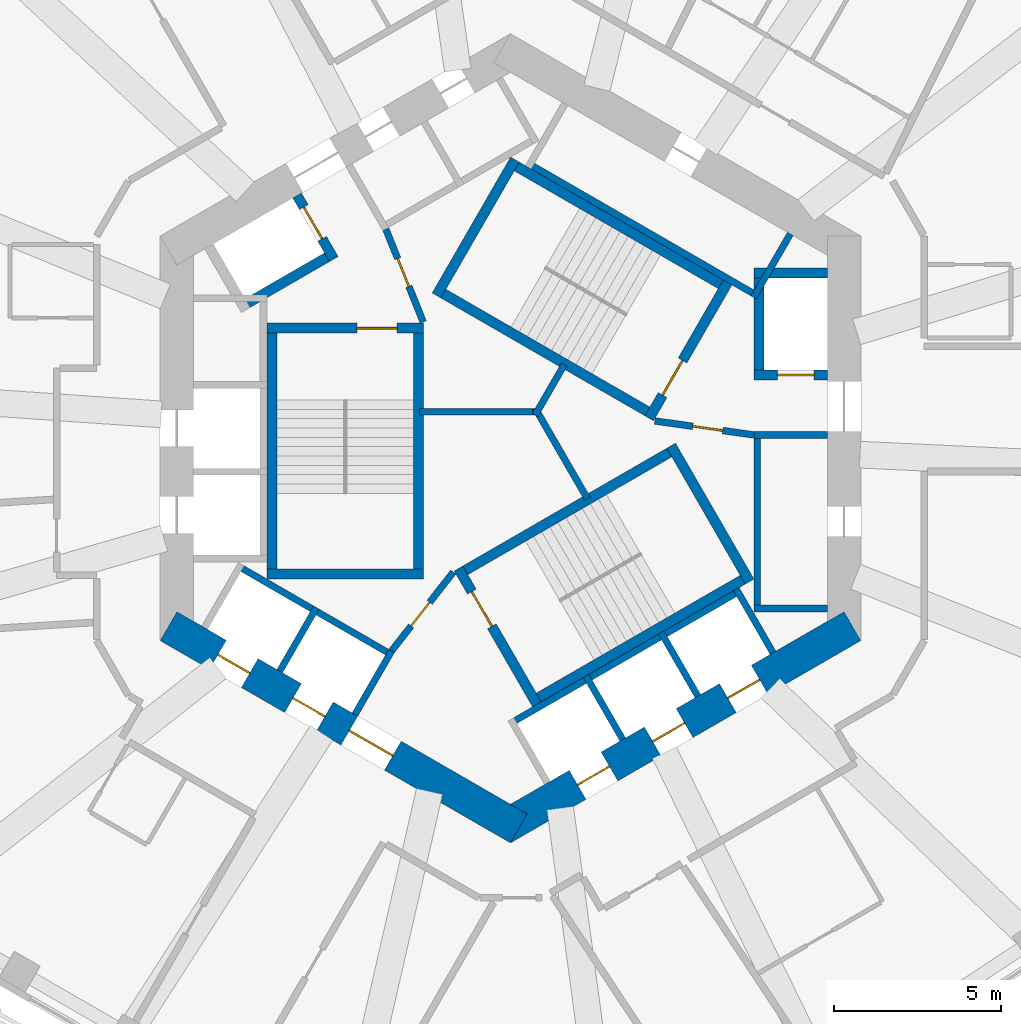
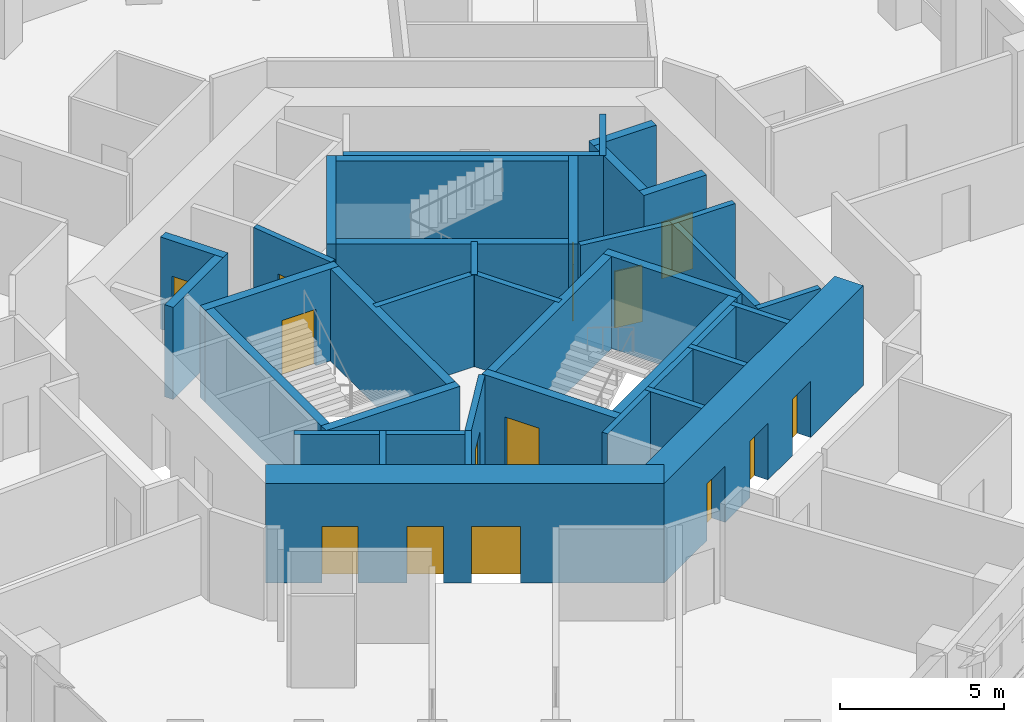
# One storey, part 5 of 11: 37 walls, 14 doors, 14 openings.
"""IFC4 building model written with IfcOpenShell, lengths in metres."""

from ifc_helpers import new_model, si_unit, direction, frame, frame_2d, origin, place, context, subcontext, project, spatial, rectangle, extrude, material, layer, layer_set, type_object, element, fill, save


model = new_model("IFC4")

# Units and contexts
model_context = context("Model", 3, precision=1e-05, world=origin(), true_north=direction((0.0, 1.0)))
body_context = subcontext(model_context, "Body", "Model", "MODEL_VIEW")
ifc_project = project(units=[si_unit("LENGTHUNIT", "METRE"), si_unit("AREAUNIT", "SQUARE_METRE"), si_unit("VOLUMEUNIT", "CUBIC_METRE"), si_unit("PLANEANGLEUNIT", "RADIAN"), si_unit("MASSUNIT", "GRAM", prefix="KILO")], contexts=[model_context])

# Site, building, storey
site_placement = place(None, origin())
site = spatial("IfcSite", under=ifc_project, at=site_placement, CompositionType="ELEMENT")
building_placement = place(site_placement, origin())
building = spatial("IfcBuilding", under=site, at=building_placement, Name="Vanh Sen Convention Tower", CompositionType="ELEMENT")
storey_placement = place(building_placement, frame((0.0, 0.0, 187.300048828125)))
storey = spatial("IfcBuildingStorey", under=building, at=storey_placement, Name="L46", CompositionType="ELEMENT", Elevation=187.300048828125)

# Wall, openings, doors
ifc_material_1 = material(Name="Concrete C80/95", Category="concrete")
ifc_layer_1 = layer(ifc_material_1, 1.0)
ifc_layer_set_1 = layer_set([ifc_layer_1], Name="Concrete C80/95")
wall_type_1 = type_object("IfcWallType", Name="Core outer wall 1000 C80/95", PredefinedType="SHEAR", material=ifc_layer_set_1)
wall_1_placement = place(storey_placement, frame((-10.25, -5.629150390625, 0.0), z_axis=(0.0, 0.0, 1.0), x_axis=(0.866022616891, -0.50000482701, 0.0)))
wall_1 = element("IfcWall", 1, at=wall_1_placement, inside=storey, type_object=wall_type_1, Name="Core wall face SW L46", PredefinedType="SHEAR", context=body_context, shape_type="SweptSolid", body=[
    extrude(rectangle(XDim=12.12451171875, YDim=1.0, at=frame_2d((6.062255859375, 0.0))), origin(), (0.0, 0.0, 1.0), 3.699951171875),
])
opening_1_placement = place(wall_1_placement, frame((6.26220703125, 0.0, 0.0)))
opening_1 = element("IfcOpeningElement", 2, at=opening_1_placement, cuts=wall_1, Name="Opening D44003", PredefinedType="OPENING", context=body_context, shape_type="SweptSolid", body=[
    extrude(rectangle(XDim=1.5, YDim=2.10009765625, at=frame_2d((0.75, 1.050048828125))), frame((0.0, 0.510009765625, 0.0), z_axis=(0.0, -1.0, 0.0), x_axis=(1.0, 0.0, 0.0)), (0.0, 0.0, 1.0), 1.02001953125),
])
opening_2_placement = place(wall_1_placement, frame((1.712158203125, 0.0, 0.0)))
opening_2 = element("IfcOpeningElement", 3, at=opening_2_placement, cuts=wall_1, Name="Opening LD-HR3", PredefinedType="OPENING", context=body_context, shape_type="SweptSolid", body=[
    extrude(rectangle(XDim=1.10009765625, YDim=2.10009765625, at=frame_2d((0.550048828125, 1.050048828125))), frame((0.0, 0.510009765625, 0.0), z_axis=(0.0, -1.0, 0.0), x_axis=(1.0, 0.0, 0.0)), (0.0, 0.0, 1.0), 1.02001953125),
])
opening_3_placement = place(wall_1_placement, frame((4.312255859375, 0.0, 0.0)))
opening_3 = element("IfcOpeningElement", 4, at=opening_3_placement, cuts=wall_1, Name="Opening LD-HR4", PredefinedType="OPENING", context=body_context, shape_type="SweptSolid", body=[
    extrude(rectangle(XDim=1.10009765625, YDim=2.10009765625, at=frame_2d((0.550048828125, 1.050048828125))), frame((0.0, 0.510009765625, 0.0), z_axis=(0.0, -1.0, 0.0), x_axis=(1.0, 0.0, 0.0)), (0.0, 0.0, 1.0), 1.02001953125),
])
ifc_material_2 = material(Name="Stainless steel", Category="steel")
door_type_1 = type_object("IfcDoorType", Name="Lift landing door 1100", OperationType="DOUBLE_DOOR_SLIDING", PredefinedType="DOOR", material=ifc_material_2)
door_1_placement = place(opening_2_placement, origin())
door_1 = element("IfcDoor", 5, at=door_1_placement, inside=storey, type_object=door_type_1, Name="Lift HR3 landing door LD-HR3", OperationType="DOUBLE_DOOR_SLIDING", OverallHeight=2.10009765625, OverallWidth=1.10009765625, PredefinedType="DOOR", context=body_context, shape_type="SweptSolid", body=[
    extrude(rectangle(XDim=1.10009765625, YDim=2.10009765625, at=frame_2d((0.550048828125, 1.050048828125))), frame((0.0, 0.02490234375, 0.0), z_axis=(0.0, -1.0, 0.0), x_axis=(1.0, 0.0, 0.0)), (0.0, 0.0, 1.0), 0.050048828125),
])
fill(opening_2, door_1)
door_2_placement = place(opening_3_placement, origin())
door_2 = element("IfcDoor", 6, at=door_2_placement, inside=storey, type_object=door_type_1, Name="Lift HR4 landing door LD-HR4", OperationType="DOUBLE_DOOR_SLIDING", OverallHeight=2.10009765625, OverallWidth=1.10009765625, PredefinedType="DOOR", context=body_context, shape_type="SweptSolid", body=[
    extrude(rectangle(XDim=1.10009765625, YDim=2.10009765625, at=frame_2d((0.550048828125, 1.050048828125))), frame((0.0, 0.02490234375, 0.0), z_axis=(0.0, -1.0, 0.0), x_axis=(1.0, 0.0, 0.0)), (0.0, 0.0, 1.0), 0.050048828125),
])
fill(opening_3, door_2)
ifc_material_3 = material(Name="Steel S355", Category="steel")
door_type_2 = type_object("IfcDoorType", Name="Stair lobby door 1500", OperationType="DOUBLE_DOOR_SINGLE_SWING", PredefinedType="DOOR", material=ifc_material_3)
door_3_placement = place(opening_1_placement, origin())
door_3 = element("IfcDoor", 7, at=door_3_placement, inside=storey, type_object=door_type_2, Name="Stair lobby door D44003", OperationType="DOUBLE_DOOR_SINGLE_SWING", OverallHeight=2.10009765625, OverallWidth=1.5, PredefinedType="DOOR", context=body_context, shape_type="SweptSolid", body=[
    extrude(rectangle(XDim=1.5, YDim=2.10009765625, at=frame_2d((0.75, 1.050048828125))), frame((0.0, 0.02490234375, 0.0), z_axis=(0.0, -1.0, 0.0), x_axis=(1.0, 0.0, 0.0)), (0.0, 0.0, 1.0), 0.050048828125),
])
fill(opening_1, door_3)

wall_2_placement = place(storey_placement, frame((-0.25, -11.69140625, 0.0), z_axis=(0.0, 0.0, 1.0), x_axis=(0.866022616891, 0.50000482701, 0.0)))
wall_2 = element("IfcWall", 8, at=wall_2_placement, inside=storey, type_object=wall_type_1, Name="Core wall face SE L46", PredefinedType="SHEAR", context=body_context, shape_type="SweptSolid", body=[
    extrude(rectangle(XDim=12.12451171875, YDim=1.0, at=frame_2d((6.062255859375, 0.0))), origin(), (0.0, 0.0, 1.0), 3.699951171875),
])
opening_4_placement = place(wall_2_placement, frame((2.6123046875, 0.0, 0.0)))
opening_4 = element("IfcOpeningElement", 9, at=opening_4_placement, cuts=wall_2, Name="Opening LD-HR5", PredefinedType="OPENING", context=body_context, shape_type="SweptSolid", body=[
    extrude(rectangle(XDim=1.10009765625, YDim=2.10009765625, at=frame_2d((0.550048828125, 1.050048828125))), frame((0.0, 0.510009765625, 0.0), z_axis=(0.0, -1.0, 0.0), x_axis=(1.0, 0.0, 0.0)), (0.0, 0.0, 1.0), 1.02001953125),
])
opening_5_placement = place(wall_2_placement, frame((5.212158203125, 0.0, 0.0)))
opening_5 = element("IfcOpeningElement", 10, at=opening_5_placement, cuts=wall_2, Name="Opening LD-HR6", PredefinedType="OPENING", context=body_context, shape_type="SweptSolid", body=[
    extrude(rectangle(XDim=1.10009765625, YDim=2.10009765625, at=frame_2d((0.550048828125, 1.050048828125))), frame((0.0, 0.510009765625, 0.0), z_axis=(0.0, -1.0, 0.0), x_axis=(1.0, 0.0, 0.0)), (0.0, 0.0, 1.0), 1.02001953125),
])
opening_6_placement = place(wall_2_placement, frame((7.812255859375, 0.0, 0.0)))
opening_6 = element("IfcOpeningElement", 11, at=opening_6_placement, cuts=wall_2, Name="Opening LD-SV1", PredefinedType="OPENING", context=body_context, shape_type="SweptSolid", body=[
    extrude(rectangle(XDim=1.10009765625, YDim=2.10009765625, at=frame_2d((0.550048828125, 1.050048828125))), frame((0.0, 0.510009765625, 0.0), z_axis=(0.0, -1.0, 0.0), x_axis=(1.0, 0.0, 0.0)), (0.0, 0.0, 1.0), 1.02001953125),
])
door_4_placement = place(opening_4_placement, origin())
door_4 = element("IfcDoor", 12, at=door_4_placement, inside=storey, type_object=door_type_1, Name="Lift HR5 landing door LD-HR5", OperationType="DOUBLE_DOOR_SLIDING", OverallHeight=2.10009765625, OverallWidth=1.10009765625, PredefinedType="DOOR", context=body_context, shape_type="SweptSolid", body=[
    extrude(rectangle(XDim=1.10009765625, YDim=2.10009765625, at=frame_2d((0.550048828125, 1.050048828125))), frame((0.0, 0.02490234375, 0.0), z_axis=(0.0, -1.0, 0.0), x_axis=(1.0, 0.0, 0.0)), (0.0, 0.0, 1.0), 0.050048828125),
])
fill(opening_4, door_4)
door_5_placement = place(opening_5_placement, origin())
door_5 = element("IfcDoor", 13, at=door_5_placement, inside=storey, type_object=door_type_1, Name="Lift HR6 landing door LD-HR6", OperationType="DOUBLE_DOOR_SLIDING", OverallHeight=2.10009765625, OverallWidth=1.10009765625, PredefinedType="DOOR", context=body_context, shape_type="SweptSolid", body=[
    extrude(rectangle(XDim=1.10009765625, YDim=2.10009765625, at=frame_2d((0.550048828125, 1.050048828125))), frame((0.0, 0.02490234375, 0.0), z_axis=(0.0, -1.0, 0.0), x_axis=(1.0, 0.0, 0.0)), (0.0, 0.0, 1.0), 0.050048828125),
])
fill(opening_5, door_5)
door_6_placement = place(opening_6_placement, origin())
door_6 = element("IfcDoor", 14, at=door_6_placement, inside=storey, type_object=door_type_1, Name="Lift SV1 landing door LD-SV1", OperationType="DOUBLE_DOOR_SLIDING", OverallHeight=2.10009765625, OverallWidth=1.10009765625, PredefinedType="DOOR", context=body_context, shape_type="SweptSolid", body=[
    extrude(rectangle(XDim=1.10009765625, YDim=2.10009765625, at=frame_2d((0.550048828125, 1.050048828125))), frame((0.0, 0.02490234375, 0.0), z_axis=(0.0, -1.0, 0.0), x_axis=(1.0, 0.0, 0.0)), (0.0, 0.0, 1.0), 0.050048828125),
])
fill(opening_6, door_6)

# Walls
ifc_material_4 = material(Name="Masonry blockwork", Category="masonry")
ifc_layer_2 = layer(ifc_material_4, 0.199951171875)
ifc_layer_set_2 = layer_set([ifc_layer_2], Name="Masonry blockwork")
wall_type_2 = type_object("IfcWallType", Name="Core partition 200", PredefinedType="PARTITIONING", material=ifc_layer_set_2)
wall_3_placement = place(storey_placement, frame((0.919921875, 0.800048828125, 0.0), z_axis=(0.0, 0.0, 1.0), x_axis=(-1.0, 0.0, 0.0)))
element("IfcWall", 15, at=wall_3_placement, inside=storey, type_object=wall_type_2, Name="Core partition L46", PredefinedType="PARTITIONING", context=body_context, shape_type="SweptSolid", body=[
    extrude(rectangle(XDim=3.639892578125, YDim=0.199951171875, at=frame_2d((1.81982421875, 0.0))), origin(), (0.0, 0.0, 1.0), 3.419921875),
])
wall_4_placement = place(storey_placement, frame((0.739990234375, 0.696044921875, 0.0), z_axis=(0.0, 0.0, 1.0), x_axis=(0.499956301907, 0.86605063142, 0.0)))
element("IfcWall", 16, at=wall_4_placement, inside=storey, type_object=wall_type_2, Name="Core partition L46", PredefinedType="PARTITIONING", context=body_context, shape_type="SweptSolid", body=[
    extrude(rectangle(XDim=1.747314453125, YDim=0.199951171875, at=frame_2d((0.87353515625, 0.0))), origin(), (0.0, 0.0, 1.0), 3.419921875),
])
wall_5_placement = place(storey_placement, frame((0.739990234375, 0.90380859375, 0.0), z_axis=(0.0, 0.0, 1.0), x_axis=(0.500028278809, -0.866009076391, 0.0)))
element("IfcWall", 17, at=wall_5_placement, inside=storey, type_object=wall_type_2, Name="Core partition L46", PredefinedType="PARTITIONING", context=body_context, shape_type="SweptSolid", body=[
    extrude(rectangle(XDim=3.132568359375, YDim=0.199951171875, at=frame_2d((1.56640625, 0.0))), origin(), (0.0, 0.0, 1.0), 3.419921875),
])

# Wall, opening, door
ifc_material_5 = material(Name="Concrete C60/75", Category="concrete")
ifc_layer_3 = layer(ifc_material_5, 0.300048828125)
ifc_layer_set_3 = layer_set([ifc_layer_3], Name="Concrete C60/75")
wall_type_3 = type_object("IfcWallType", Name="Fire-fighting lift shaft wall 300", PredefinedType="SHEAR", material=ifc_layer_set_3)
wall_6_placement = place(storey_placement, frame((7.300048828125, 1.89990234375, 0.0), z_axis=(0.0, 0.0, 1.0), x_axis=(1.0, 0.0, 0.0)))
wall_6 = element("IfcWall", 18, at=wall_6_placement, inside=storey, type_object=wall_type_3, Name="Fire-fighting lift shaft wall L46", PredefinedType="SHEAR", context=body_context, shape_type="SweptSolid", body=[
    extrude(rectangle(XDim=2.199951171875, YDim=0.300048828125, at=frame_2d((1.10009765625, 0.0))), origin(), (0.0, 0.0, 1.0), 3.419921875),
])
opening_7_placement = place(wall_6_placement, frame((0.699951171875, 0.0, 0.0)))
opening_7 = element("IfcOpeningElement", 19, at=opening_7_placement, cuts=wall_6, Name="Opening LD-FF1", PredefinedType="OPENING", context=body_context, shape_type="SweptSolid", body=[
    extrude(rectangle(XDim=1.10009765625, YDim=2.10009765625, at=frame_2d((0.550048828125, 1.050048828125))), frame((0.0, 0.159912109375, 0.0), z_axis=(0.0, -1.0, 0.0), x_axis=(1.0, 0.0, 0.0)), (0.0, 0.0, 1.0), 0.320068359375),
])
door_type_3 = type_object("IfcDoorType", Name="Fire-fighting lift landing door 1100", OperationType="DOUBLE_DOOR_SLIDING", PredefinedType="DOOR", material=ifc_material_2)
door_7_placement = place(opening_7_placement, origin())
door_7 = element("IfcDoor", 20, at=door_7_placement, inside=storey, type_object=door_type_3, Name="Lift FF1 landing door LD-FF1", OperationType="DOUBLE_DOOR_SLIDING", OverallHeight=2.10009765625, OverallWidth=1.10009765625, PredefinedType="DOOR", context=body_context, shape_type="SweptSolid", body=[
    extrude(rectangle(XDim=1.10009765625, YDim=2.10009765625, at=frame_2d((0.550048828125, 1.050048828125))), frame((0.0, 0.02490234375, 0.0), z_axis=(0.0, -1.0, 0.0), x_axis=(1.0, 0.0, 0.0)), (0.0, 0.0, 1.0), 0.050048828125),
])
fill(opening_7, door_7)

# Walls
wall_7_placement = place(storey_placement, frame((7.449951171875, 1.75, 0.0), z_axis=(0.0, 0.0, 1.0), x_axis=(0.0, 1.0, 0.0)))
element("IfcWall", 21, at=wall_7_placement, inside=storey, type_object=wall_type_3, Name="Fire-fighting lift shaft wall L46", PredefinedType="SHEAR", context=body_context, shape_type="SweptSolid", body=[
    extrude(rectangle(XDim=3.35009765625, YDim=0.300048828125, at=frame_2d((1.675048828125, 0.0))), origin(), (0.0, 0.0, 1.0), 3.419921875),
])
wall_8_placement = place(storey_placement, frame((7.300048828125, 4.949951171875, 0.0), z_axis=(0.0, 0.0, 1.0), x_axis=(1.0, 0.0, 0.0)))
element("IfcWall", 22, at=wall_8_placement, inside=storey, type_object=wall_type_3, Name="Fire-fighting lift shaft wall L46", PredefinedType="SHEAR", context=body_context, shape_type="SweptSolid", body=[
    extrude(rectangle(XDim=2.199951171875, YDim=0.300048828125, at=frame_2d((1.10009765625, 0.0))), origin(), (0.0, 0.0, 1.0), 3.419921875),
])

# Wall, opening, door
wall_9_placement = place(storey_placement, frame((-5.29541015625, 5.3720703125, 0.0), z_axis=(0.0, 0.0, 1.0), x_axis=(-0.500077893725, 0.86598042715, 0.0)))
wall_9 = element("IfcWall", 23, at=wall_9_placement, inside=storey, type_object=wall_type_3, Name="Fire-fighting lift shaft wall L46", PredefinedType="SHEAR", context=body_context, shape_type="SweptSolid", body=[
    extrude(rectangle(XDim=2.199951171875, YDim=0.300048828125, at=frame_2d((1.10009765625, 0.0))), origin(), (0.0, 0.0, 1.0), 3.419921875),
])
opening_8_placement = place(wall_9_placement, frame((0.699951171875, 0.0, 0.0)))
opening_8 = element("IfcOpeningElement", 24, at=opening_8_placement, cuts=wall_9, Name="Opening LD-FF2", PredefinedType="OPENING", context=body_context, shape_type="SweptSolid", body=[
    extrude(rectangle(XDim=1.10009765625, YDim=2.10009765625, at=frame_2d((0.550048828125, 1.050048828125))), frame((0.0, 0.159912109375, 0.0), z_axis=(0.0, -1.0, 0.0), x_axis=(1.0, 0.0, 0.0)), (0.0, 0.0, 1.0), 0.320068359375),
])
door_8_placement = place(opening_8_placement, origin())
door_8 = element("IfcDoor", 25, at=door_8_placement, inside=storey, type_object=door_type_3, Name="Lift FF2 landing door LD-FF2", OperationType="DOUBLE_DOOR_SLIDING", OverallHeight=2.10009765625, OverallWidth=1.10009765625, PredefinedType="DOOR", context=body_context, shape_type="SweptSolid", body=[
    extrude(rectangle(XDim=1.10009765625, YDim=2.10009765625, at=frame_2d((0.550048828125, 1.050048828125))), frame((0.0, 0.02490234375, 0.0), z_axis=(0.0, -1.0, 0.0), x_axis=(1.0, 0.0, 0.0)), (0.0, 0.0, 1.0), 0.050048828125),
])
fill(opening_8, door_8)

# Walls
wall_10_placement = place(storey_placement, frame((-5.240478515625, 5.576904296875, 0.0), z_axis=(0.0, 0.0, 1.0), x_axis=(-0.866014461049, -0.500018952895, 0.0)))
element("IfcWall", 26, at=wall_10_placement, inside=storey, type_object=wall_type_3, Name="Fire-fighting lift shaft wall L46", PredefinedType="SHEAR", context=body_context, shape_type="SweptSolid", body=[
    extrude(rectangle(XDim=3.349853515625, YDim=0.300048828125, at=frame_2d((1.6748046875, 0.0))), origin(), (0.0, 0.0, 1.0), 3.419921875),
])
ifc_material_6 = material(Name="Concrete C40/50", Category="concrete")
ifc_layer_4 = layer(ifc_material_6, 0.199951171875)
ifc_layer_set_4 = layer_set([ifc_layer_4], Name="Concrete C40/50")
wall_type_4 = type_object("IfcWallType", Name="Lift shaft wall 200", PredefinedType="PARTITIONING", material=ifc_layer_set_4)
wall_11_placement = place(storey_placement, frame((7.39990234375, -5.199951171875, 0.0), z_axis=(0.0, 0.0, 1.0), x_axis=(0.0, 1.0, 0.0)))
element("IfcWall", 27, at=wall_11_placement, inside=storey, type_object=wall_type_4, Name="Lift shaft wall L46", PredefinedType="PARTITIONING", context=body_context, shape_type="SweptSolid", body=[
    extrude(rectangle(XDim=5.39990234375, YDim=0.199951171875, at=frame_2d((2.699951171875, 0.0))), origin(), (0.0, 0.0, 1.0), 3.419921875),
])
for number, where, z_axis, x_axis, name in (
    (28, (7.300048828125, -5.10009765625, 0.0), (0.0, 0.0, 1.0), (1.0, 0.0, 0.0), "Lift shaft wall L46"),
    (29, (7.300048828125, 0.10009765625, 0.0), (0.0, 0.0, 1.0), (1.0, 0.0, 0.0), "Lift shaft wall L46"),
):
    element("IfcWall", number, at=place(storey_placement, frame(where, z_axis=z_axis, x_axis=x_axis)), inside=storey, type_object=wall_type_4, Name=name, PredefinedType="PARTITIONING", context=body_context, shape_type="SweptSolid", body=[
        extrude(rectangle(XDim=2.199951171875, YDim=0.199951171875, at=frame_2d((1.10009765625, 0.0))), origin(), (0.0, 0.0, 1.0), 3.419921875),
    ])
wall_12_placement = place(storey_placement, frame((7.423828125, 4.258544921875, 0.0), z_axis=(0.0, 0.0, 1.0), x_axis=(-0.866026010844, 0.49999894854, 0.0)))
element("IfcWall", 30, at=wall_12_placement, inside=storey, type_object=wall_type_4, Name="Lift shaft wall L46", PredefinedType="PARTITIONING", context=body_context, shape_type="SweptSolid", body=[
    extrude(rectangle(XDim=8.0, YDim=0.199951171875, at=frame_2d((4.0, 0.0))), origin(), (0.0, 0.0, 1.0), 3.419921875),
])
wall_13_placement = place(storey_placement, frame((7.287353515625, 4.221923828125, 0.0), z_axis=(0.0, 0.0, 1.0), x_axis=(0.499946605688, 0.86605622881, 0.0)))
element("IfcWall", 31, at=wall_13_placement, inside=storey, type_object=wall_type_4, Name="Lift shaft wall L46", PredefinedType="PARTITIONING", context=body_context, shape_type="SweptSolid", body=[
    extrude(rectangle(XDim=2.199951171875, YDim=0.199951171875, at=frame_2d((1.10009765625, 0.0))), origin(), (0.0, 0.0, 1.0), 3.419921875),
])
wall_14_placement = place(storey_placement, frame((-8.203369140625, -3.80859375, 0.0), z_axis=(0.0, 0.0, 1.0), x_axis=(0.866028230842, -0.499995103361, 0.0)))
element("IfcWall", 32, at=wall_14_placement, inside=storey, type_object=wall_type_4, Name="Lift shaft wall L46", PredefinedType="PARTITIONING", context=body_context, shape_type="SweptSolid", body=[
    extrude(rectangle(XDim=5.39990234375, YDim=0.199951171875, at=frame_2d((2.699951171875, 0.0))), origin(), (0.0, 0.0, 1.0), 3.419921875),
])
wall_15_placement = place(storey_placement, frame((-5.815185546875, -5.072021484375, 0.0), z_axis=(0.0, 0.0, 1.0), x_axis=(-0.499946605688, -0.86605622881, 0.0)))
element("IfcWall", 33, at=wall_15_placement, inside=storey, type_object=wall_type_4, Name="Lift shaft wall L46", PredefinedType="PARTITIONING", context=body_context, shape_type="SweptSolid", body=[
    extrude(rectangle(XDim=2.199951171875, YDim=0.199951171875, at=frame_2d((1.10009765625, 0.0))), origin(), (0.0, 0.0, 1.0), 3.419921875),
])
wall_16_placement = place(storey_placement, frame((-3.5634765625, -6.3720703125, 0.0), z_axis=(0.0, 0.0, 1.0), x_axis=(-0.499994660107, -0.866028486751, 0.0)))
element("IfcWall", 34, at=wall_16_placement, inside=storey, type_object=wall_type_4, Name="Lift shaft wall L46", PredefinedType="PARTITIONING", context=body_context, shape_type="SweptSolid", body=[
    extrude(rectangle(XDim=2.19970703125, YDim=0.199951171875, at=frame_2d((1.099853515625, 0.0))), origin(), (0.0, 0.0, 1.0), 3.419921875),
])
wall_17_placement = place(storey_placement, frame((-0.02392578125, -8.55859375, 0.0), z_axis=(0.0, 0.0, 1.0), x_axis=(0.866026010844, 0.49999894854, 0.0)))
element("IfcWall", 35, at=wall_17_placement, inside=storey, type_object=wall_type_4, Name="Lift shaft wall L46", PredefinedType="PARTITIONING", context=body_context, shape_type="SweptSolid", body=[
    extrude(rectangle(XDim=8.0, YDim=0.199951171875, at=frame_2d((4.0, 0.0))), origin(), (0.0, 0.0, 1.0), 3.419921875),
])
for number, where, z_axis, x_axis, name in (
    (36, (2.264404296875, -7.1220703125, 0.0), (0.0, 0.0, 1.0), (0.500077893725, -0.86598042715, 0.0), "Lift shaft wall L46"),
    (37, (4.51611328125, -5.822021484375, 0.0), (0.0, 0.0, 1.0), (0.499946605688, -0.86605622881, 0.0), "Lift shaft wall L46"),
    (38, (6.767578125, -4.52197265625, 0.0), (0.0, 0.0, 1.0), (0.50002983664, -0.866008176907, 0.0), "Lift shaft wall L46"),
):
    element("IfcWall", number, at=place(storey_placement, frame(where, z_axis=z_axis, x_axis=x_axis)), inside=storey, type_object=wall_type_4, Name=name, PredefinedType="PARTITIONING", context=body_context, shape_type="SweptSolid", body=[
        extrude(rectangle(XDim=2.199951171875, YDim=0.199951171875, at=frame_2d((1.10009765625, 0.0))), origin(), (0.0, 0.0, 1.0), 3.419921875),
    ])

# Wall, opening, door
ifc_layer_5 = layer(ifc_material_6, 0.199951171875)
ifc_layer_set_5 = layer_set([ifc_layer_5], Name="Concrete C40/50")
wall_type_5 = type_object("IfcWallType", Name="Stair lobby wall 200", PredefinedType="PARTITIONING", material=ifc_layer_set_5)
wall_18_placement = place(storey_placement, frame((4.327392578125, 0.52099609375, 0.0), z_axis=(0.0, 0.0, 1.0), x_axis=(0.990124376366, -0.14019172346, 0.0)))
wall_18 = element("IfcWall", 39, at=wall_18_placement, inside=storey, type_object=wall_type_5, Name="Stair lobby wall L46", PredefinedType="PARTITIONING", context=body_context, shape_type="SweptSolid", body=[
    extrude(rectangle(XDim=3.002197265625, YDim=0.199951171875, at=frame_2d((1.5009765625, 0.0))), origin(), (0.0, 0.0, 1.0), 3.419921875),
])
opening_9_placement = place(wall_18_placement, frame((1.14990234375, 0.0, 0.0)))
opening_9 = element("IfcOpeningElement", 40, at=opening_9_placement, cuts=wall_18, Name="Opening D44007", PredefinedType="OPENING", context=body_context, shape_type="SweptSolid", body=[
    extrude(rectangle(XDim=0.89990234375, YDim=2.10009765625, at=frame_2d((0.449951171875, 1.050048828125))), frame((0.0, 0.10986328125, 0.0), z_axis=(0.0, -1.0, 0.0), x_axis=(1.0, 0.0, 0.0)), (0.0, 0.0, 1.0), 0.219970703125),
])
door_type_4 = type_object("IfcDoorType", Name="Plant door 900", OperationType="SINGLE_SWING_LEFT", PredefinedType="DOOR", material=ifc_material_3)
door_9_placement = place(opening_9_placement, origin())
door_9 = element("IfcDoor", 41, at=door_9_placement, inside=storey, type_object=door_type_4, Name="Plant door D44007", OperationType="SINGLE_SWING_LEFT", OverallHeight=2.10009765625, OverallWidth=0.89990234375, PredefinedType="DOOR", context=body_context, shape_type="SweptSolid", body=[
    extrude(rectangle(XDim=0.89990234375, YDim=2.10009765625, at=frame_2d((0.449951171875, 1.050048828125))), frame((0.0, 0.02490234375, 0.0), z_axis=(0.0, -1.0, 0.0), x_axis=(1.0, 0.0, 0.0)), (0.0, 0.0, 1.0), 0.050048828125),
])
fill(opening_9, door_9)

wall_19_placement = place(storey_placement, frame((-2.614990234375, 3.487060546875, 0.0), z_axis=(0.0, 0.0, 1.0), x_axis=(-0.373576831041, 0.92759924068, 0.0)))
wall_19 = element("IfcWall", 42, at=wall_19_placement, inside=storey, type_object=wall_type_5, Name="Stair lobby wall L46", PredefinedType="PARTITIONING", context=body_context, shape_type="SweptSolid", body=[
    extrude(rectangle(XDim=3.002197265625, YDim=0.199951171875, at=frame_2d((1.5009765625, 0.0))), origin(), (0.0, 0.0, 1.0), 3.419921875),
])
opening_10_placement = place(wall_19_placement, frame((1.14990234375, 0.0, 0.0)))
opening_10 = element("IfcOpeningElement", 43, at=opening_10_placement, cuts=wall_19, Name="Opening D44008", PredefinedType="OPENING", context=body_context, shape_type="SweptSolid", body=[
    extrude(rectangle(XDim=0.89990234375, YDim=2.10009765625, at=frame_2d((0.449951171875, 1.050048828125))), frame((0.0, 0.10986328125, 0.0), z_axis=(0.0, -1.0, 0.0), x_axis=(1.0, 0.0, 0.0)), (0.0, 0.0, 1.0), 0.219970703125),
])
door_10_placement = place(opening_10_placement, origin())
door_10 = element("IfcDoor", 44, at=door_10_placement, inside=storey, type_object=door_type_4, Name="Plant door D44008", OperationType="SINGLE_SWING_LEFT", OverallHeight=2.10009765625, OverallWidth=0.89990234375, PredefinedType="DOOR", context=body_context, shape_type="SweptSolid", body=[
    extrude(rectangle(XDim=0.89990234375, YDim=2.10009765625, at=frame_2d((0.449951171875, 1.050048828125))), frame((0.0, 0.02490234375, 0.0), z_axis=(0.0, -1.0, 0.0), x_axis=(1.0, 0.0, 0.0)), (0.0, 0.0, 1.0), 0.050048828125),
])
fill(opening_10, door_10)

wall_20_placement = place(storey_placement, frame((-1.71240234375, -4.00830078125, 0.0), z_axis=(0.0, 0.0, 1.0), x_axis=(-0.616549420702, -0.787316208287, 0.0)))
wall_20 = element("IfcWall", 45, at=wall_20_placement, inside=storey, type_object=wall_type_5, Name="Stair lobby wall L46", PredefinedType="PARTITIONING", context=body_context, shape_type="SweptSolid", body=[
    extrude(rectangle(XDim=3.002197265625, YDim=0.199951171875, at=frame_2d((1.5009765625, 0.0))), origin(), (0.0, 0.0, 1.0), 3.419921875),
])
opening_11_placement = place(wall_20_placement, frame((1.14990234375, 0.0, 0.0)))
opening_11 = element("IfcOpeningElement", 46, at=opening_11_placement, cuts=wall_20, Name="Opening D44009", PredefinedType="OPENING", context=body_context, shape_type="SweptSolid", body=[
    extrude(rectangle(XDim=0.89990234375, YDim=2.10009765625, at=frame_2d((0.449951171875, 1.050048828125))), frame((0.0, 0.10986328125, 0.0), z_axis=(0.0, -1.0, 0.0), x_axis=(1.0, 0.0, 0.0)), (0.0, 0.0, 1.0), 0.219970703125),
])
door_11_placement = place(opening_11_placement, origin())
door_11 = element("IfcDoor", 47, at=door_11_placement, inside=storey, type_object=door_type_4, Name="Plant door D44009", OperationType="SINGLE_SWING_LEFT", OverallHeight=2.10009765625, OverallWidth=0.89990234375, PredefinedType="DOOR", context=body_context, shape_type="SweptSolid", body=[
    extrude(rectangle(XDim=0.89990234375, YDim=2.10009765625, at=frame_2d((0.449951171875, 1.050048828125))), frame((0.0, 0.02490234375, 0.0), z_axis=(0.0, -1.0, 0.0), x_axis=(1.0, 0.0, 0.0)), (0.0, 0.0, 1.0), 0.050048828125),
])
fill(opening_11, door_11)

ifc_layer_6 = layer(ifc_material_5, 0.300048828125)
ifc_layer_set_6 = layer_set([ifc_layer_6], Name="Concrete C60/75")
wall_type_6 = type_object("IfcWallType", Name="Stair wall 300", PredefinedType="SHEAR", material=ifc_layer_set_6)
wall_21_placement = place(storey_placement, frame((4.157958984375, 0.601806640625, 0.0), z_axis=(0.0, 0.0, 1.0), x_axis=(0.499977259774, 0.866038532462, 0.0)))
wall_21 = element("IfcWall", 48, at=wall_21_placement, inside=storey, type_object=wall_type_6, Name="Stair wall L46", PredefinedType="SHEAR", context=body_context, shape_type="SweptSolid", body=[
    extrude(rectangle(XDim=4.699951171875, YDim=0.300048828125, at=frame_2d((2.35009765625, 0.0))), origin(), (0.0, 0.0, 1.0), 3.419921875),
])
opening_12_placement = place(wall_21_placement, frame((0.800048828125, 0.0, 0.0)))
opening_12 = element("IfcOpeningElement", 49, at=opening_12_placement, cuts=wall_21, Name="Opening D44004", PredefinedType="OPENING", context=body_context, shape_type="SweptSolid", body=[
    extrude(rectangle(XDim=1.199951171875, YDim=2.10009765625, at=frame_2d((0.60009765625, 1.050048828125))), frame((0.0, 0.159912109375, 0.0), z_axis=(0.0, -1.0, 0.0), x_axis=(1.0, 0.0, 0.0)), (0.0, 0.0, 1.0), 0.320068359375),
])
door_type_5 = type_object("IfcDoorType", Name="Stair door 1200", OperationType="SINGLE_SWING_RIGHT", PredefinedType="DOOR", material=ifc_material_3)
door_12_placement = place(opening_12_placement, origin())
door_12 = element("IfcDoor", 50, at=door_12_placement, inside=storey, type_object=door_type_5, Name="Stair ST1 door D44004", OperationType="SINGLE_SWING_RIGHT", OverallHeight=2.10009765625, OverallWidth=1.199951171875, PredefinedType="DOOR", context=body_context, shape_type="SweptSolid", body=[
    extrude(rectangle(XDim=1.199951171875, YDim=2.10009765625, at=frame_2d((0.60009765625, 1.050048828125))), frame((0.0, 0.02490234375, 0.0), z_axis=(0.0, -1.0, 0.0), x_axis=(1.0, 0.0, 0.0)), (0.0, 0.0, 1.0), 0.050048828125),
])
fill(opening_12, door_12)

# Walls
wall_22_placement = place(storey_placement, frame((-2.216064453125, 4.28173828125, 0.0), z_axis=(0.0, 0.0, 1.0), x_axis=(0.499977259774, 0.866038532462, 0.0)))
element("IfcWall", 51, at=wall_22_placement, inside=storey, type_object=wall_type_6, Name="Stair wall L46", PredefinedType="SHEAR", context=body_context, shape_type="SweptSolid", body=[
    extrude(rectangle(XDim=4.699951171875, YDim=0.300048828125, at=frame_2d((2.35009765625, 0.0))), origin(), (0.0, 0.0, 1.0), 3.419921875),
])
for number, where, z_axis, x_axis, name in (
    (52, (4.10302734375, 0.806640625, 0.0), (0.0, 0.0, 1.0), (-0.866027801685, 0.499995846692, 0.0), "Stair wall L46"),
    (53, (6.302978515625, 4.6171875, 0.0), (0.0, 0.0, 1.0), (-0.866027801685, 0.499995846692, 0.0), "Stair wall L46"),
):
    element("IfcWall", number, at=place(storey_placement, frame(where, z_axis=z_axis, x_axis=x_axis)), inside=storey, type_object=wall_type_6, Name=name, PredefinedType="SHEAR", context=body_context, shape_type="SweptSolid", body=[
        extrude(rectangle(XDim=7.06005859375, YDim=0.300048828125, at=frame_2d((3.530029296875, 0.0))), origin(), (0.0, 0.0, 1.0), 3.419921875),
    ])

# Wall, opening, door
wall_23_placement = place(storey_placement, frame((-2.60009765625, 3.300048828125, 0.0), z_axis=(0.0, 0.0, 1.0), x_axis=(-1.0, 0.0, 0.0)))
wall_23 = element("IfcWall", 54, at=wall_23_placement, inside=storey, type_object=wall_type_6, Name="Stair wall L46", PredefinedType="SHEAR", context=body_context, shape_type="SweptSolid", body=[
    extrude(rectangle(XDim=4.699951171875, YDim=0.300048828125, at=frame_2d((2.35009765625, 0.0))), origin(), (0.0, 0.0, 1.0), 3.419921875),
])
opening_13_placement = place(wall_23_placement, frame((0.800048828125, 0.0, 0.0)))
opening_13 = element("IfcOpeningElement", 55, at=opening_13_placement, cuts=wall_23, Name="Opening D44005", PredefinedType="OPENING", context=body_context, shape_type="SweptSolid", body=[
    extrude(rectangle(XDim=1.199951171875, YDim=2.10009765625, at=frame_2d((0.60009765625, 1.050048828125))), frame((0.0, 0.159912109375, 0.0), z_axis=(0.0, -1.0, 0.0), x_axis=(1.0, 0.0, 0.0)), (0.0, 0.0, 1.0), 0.320068359375),
])
door_13_placement = place(opening_13_placement, origin())
door_13 = element("IfcDoor", 56, at=door_13_placement, inside=storey, type_object=door_type_5, Name="Stair ST2 door D44005", OperationType="SINGLE_SWING_RIGHT", OverallHeight=2.10009765625, OverallWidth=1.199951171875, PredefinedType="DOOR", context=body_context, shape_type="SweptSolid", body=[
    extrude(rectangle(XDim=1.199951171875, YDim=2.10009765625, at=frame_2d((0.60009765625, 1.050048828125))), frame((0.0, 0.02490234375, 0.0), z_axis=(0.0, -1.0, 0.0), x_axis=(1.0, 0.0, 0.0)), (0.0, 0.0, 1.0), 0.050048828125),
])
fill(opening_13, door_13)

# Walls
wall_24_placement = place(storey_placement, frame((-2.60009765625, -4.06005859375, 0.0), z_axis=(0.0, 0.0, 1.0), x_axis=(-1.0, 0.0, 0.0)))
element("IfcWall", 57, at=wall_24_placement, inside=storey, type_object=wall_type_6, Name="Stair wall L46", PredefinedType="SHEAR", context=body_context, shape_type="SweptSolid", body=[
    extrude(rectangle(XDim=4.699951171875, YDim=0.300048828125, at=frame_2d((2.35009765625, 0.0))), origin(), (0.0, 0.0, 1.0), 3.419921875),
])
for number, where, z_axis, x_axis, name in (
    (58, (-2.75, 3.14990234375, 0.0), (0.0, 0.0, 1.0), (0.0, -1.0, 0.0), "Stair wall L46"),
    (59, (-7.14990234375, 3.14990234375, 0.0), (0.0, 0.0, 1.0), (0.0, -1.0, 0.0), "Stair wall L46"),
):
    element("IfcWall", number, at=place(storey_placement, frame(where, z_axis=z_axis, x_axis=x_axis)), inside=storey, type_object=wall_type_6, Name=name, PredefinedType="SHEAR", context=body_context, shape_type="SweptSolid", body=[
        extrude(rectangle(XDim=7.059814453125, YDim=0.300048828125, at=frame_2d((3.52978515625, 0.0))), origin(), (0.0, 0.0, 1.0), 3.419921875),
    ])

# Wall, opening, door
wall_25_placement = place(storey_placement, frame((-1.557861328125, -3.901611328125, 0.0), z_axis=(0.0, 0.0, 1.0), x_axis=(0.499977259774, -0.866038532462, 0.0)))
wall_25 = element("IfcWall", 60, at=wall_25_placement, inside=storey, type_object=wall_type_6, Name="Stair wall L46", PredefinedType="SHEAR", context=body_context, shape_type="SweptSolid", body=[
    extrude(rectangle(XDim=4.699951171875, YDim=0.300048828125, at=frame_2d((2.35009765625, 0.0))), origin(), (0.0, 0.0, 1.0), 3.419921875),
])
opening_14_placement = place(wall_25_placement, frame((0.800048828125, 0.0, 0.0)))
opening_14 = element("IfcOpeningElement", 61, at=opening_14_placement, cuts=wall_25, Name="Opening D44006", PredefinedType="OPENING", context=body_context, shape_type="SweptSolid", body=[
    extrude(rectangle(XDim=1.199951171875, YDim=2.10009765625, at=frame_2d((0.60009765625, 1.050048828125))), frame((0.0, 0.159912109375, 0.0), z_axis=(0.0, -1.0, 0.0), x_axis=(1.0, 0.0, 0.0)), (0.0, 0.0, 1.0), 0.320068359375),
])
door_14_placement = place(opening_14_placement, origin())
door_14 = element("IfcDoor", 62, at=door_14_placement, inside=storey, type_object=door_type_5, Name="Stair ST3 door D44006", OperationType="SINGLE_SWING_RIGHT", OverallHeight=2.10009765625, OverallWidth=1.199951171875, PredefinedType="DOOR", context=body_context, shape_type="SweptSolid", body=[
    extrude(rectangle(XDim=1.199951171875, YDim=2.10009765625, at=frame_2d((0.60009765625, 1.050048828125))), frame((0.0, 0.02490234375, 0.0), z_axis=(0.0, -1.0, 0.0), x_axis=(1.0, 0.0, 0.0)), (0.0, 0.0, 1.0), 0.050048828125),
])
fill(opening_14, door_14)

# Walls
wall_26_placement = place(storey_placement, frame((4.816162109375, -0.2216796875, 0.0), z_axis=(0.0, 0.0, 1.0), x_axis=(0.499977259774, -0.866038532462, 0.0)))
element("IfcWall", 63, at=wall_26_placement, inside=storey, type_object=wall_type_6, Name="Stair wall L46", PredefinedType="SHEAR", context=body_context, shape_type="SweptSolid", body=[
    extrude(rectangle(XDim=4.699951171875, YDim=0.300048828125, at=frame_2d((2.35009765625, 0.0))), origin(), (0.0, 0.0, 1.0), 3.419921875),
])
for number, where, z_axis, x_axis, name in (
    (64, (-1.35302734375, -3.95654296875, 0.0), (0.0, 0.0, 1.0), (0.866027801685, 0.499995846692, 0.0), "Stair wall L46"),
    (65, (0.846923828125, -7.76708984375, 0.0), (0.0, 0.0, 1.0), (0.866027801685, 0.499995846692, 0.0), "Stair wall L46"),
):
    element("IfcWall", number, at=place(storey_placement, frame(where, z_axis=z_axis, x_axis=x_axis)), inside=storey, type_object=wall_type_6, Name=name, PredefinedType="SHEAR", context=body_context, shape_type="SweptSolid", body=[
        extrude(rectangle(XDim=7.06005859375, YDim=0.300048828125, at=frame_2d((3.530029296875, 0.0))), origin(), (0.0, 0.0, 1.0), 3.419921875),
    ])

save(model, "model.ifc")
